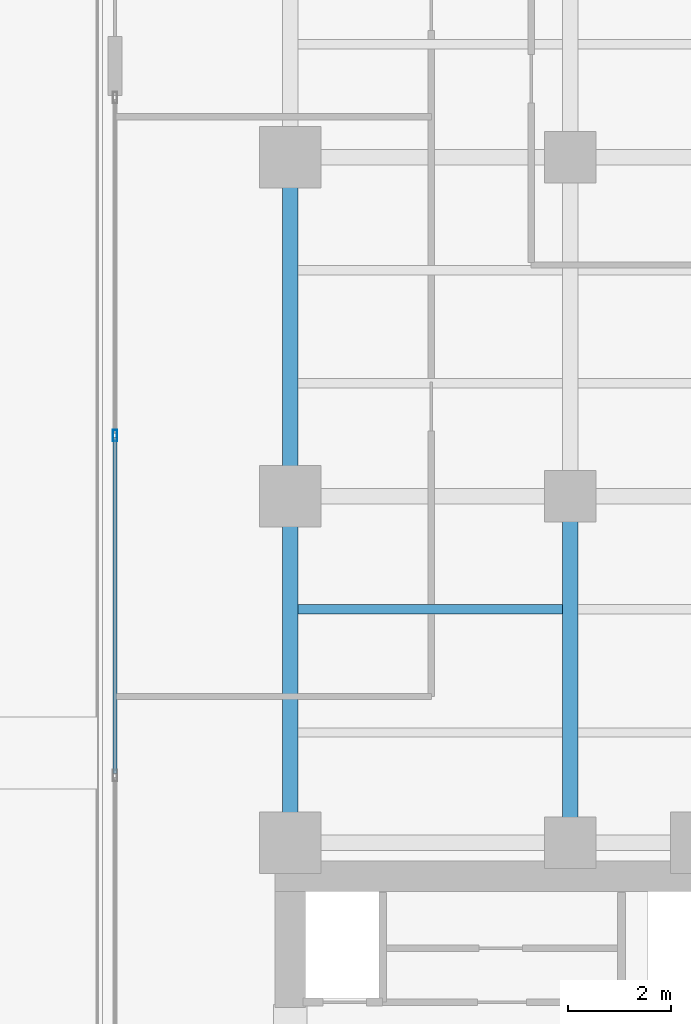
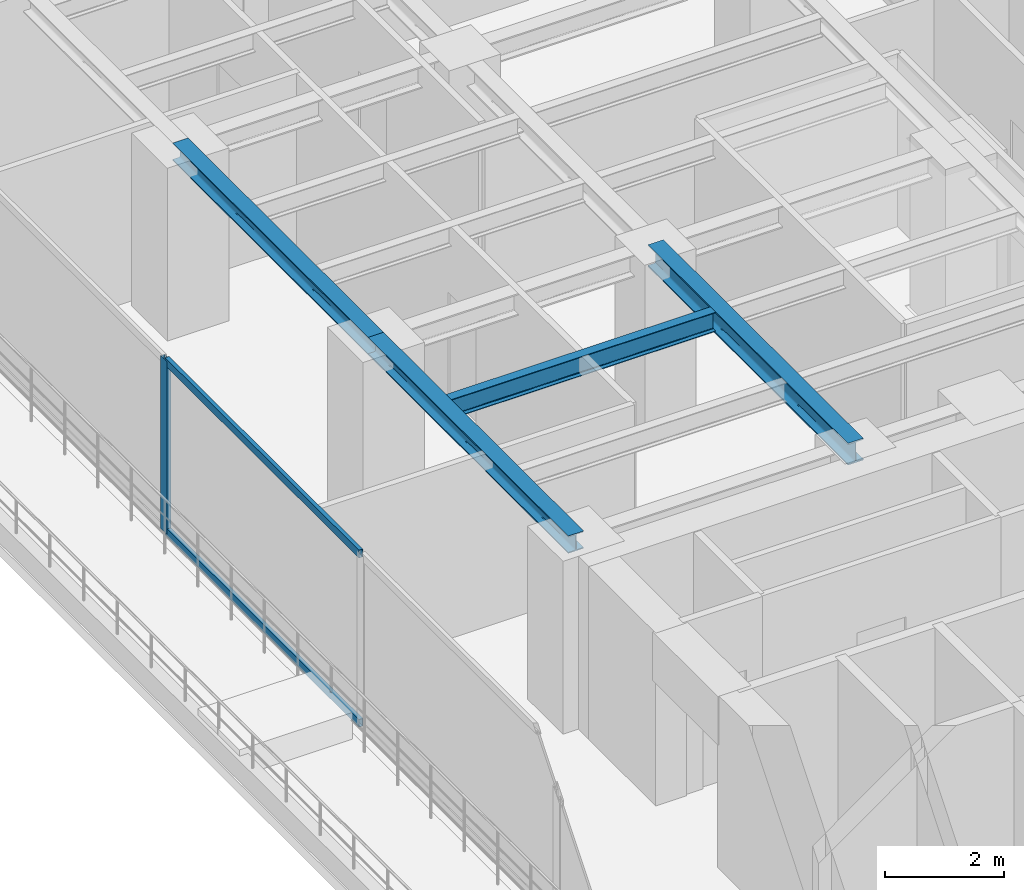
# One storey, part 7 of 28: 4 beams, 3 members, 1 element without a shape of its own.
"""IFC4 building model written with IfcOpenShell, lengths in metres."""

from ifc_helpers import new_model, si_unit, direction, frame, origin, origin_with_axes, origin_2d, place, context, subcontext, project, spatial, hollow_rectangle, i_section, extrude, source, transform, mapped, material, layer, layer_set, material_profile, profile_set, type_object, element, aggregate, save


model = new_model("IFC4")

# Units and contexts
model_context = context("Model", 3, precision=1e-05, world=origin(), true_north=direction((0.0, 1.0)))
body_context = subcontext(model_context, "Body", "Model", "MODEL_VIEW")
ifc_project = project(units=[si_unit("LENGTHUNIT", "METRE"), si_unit("AREAUNIT", "SQUARE_METRE"), si_unit("VOLUMEUNIT", "CUBIC_METRE"), si_unit("PLANEANGLEUNIT", "RADIAN"), si_unit("MASSUNIT", "GRAM", prefix="KILO")], contexts=[model_context])

# Site, building, storey
site_placement = place(None, origin())
site = spatial("IfcSite", under=ifc_project, at=site_placement, CompositionType="ELEMENT")
building_placement = place(site_placement, origin())
building = spatial("IfcBuilding", under=site, at=building_placement, Name="Kolvaren Waterfront Exchange", CompositionType="ELEMENT")
storey_placement = place(building_placement, frame((0.0, 0.0, 146.199951171875)))
storey = spatial("IfcBuildingStorey", under=building, at=storey_placement, Name="L37", CompositionType="ELEMENT", Elevation=146.199951171875)

# Beams
ifc_material_1 = material(Name="Steel S355", Category="steel")
ifc_material_profile_1 = material_profile(ifc_material_1, i_section(OverallWidth=0.300048828125, OverallDepth=0.360107421875, WebThickness=0.012451171875, FlangeThickness=0.0224609375, FilletRadius=0.027099609375, at=origin_2d()), Name="HEB360")
ifc_profile_set_1 = profile_set([ifc_material_profile_1], Name="Steel S355")
beam_type_1 = type_object("IfcBeamType", Name="STR-BM-HEB360", PredefinedType="SPANDREL", material=ifc_profile_set_1)
beam_1_placement = place(storey_placement, frame((7.449951171875, 24.449951171875, 3.380126953125), z_axis=(0.0, 1.0, 0.0), x_axis=(-1.0, 0.0, 0.0)))
element("IfcBeam", 1, at=beam_1_placement, inside=storey, type_object=beam_type_1, Name="L37 north-arm edge beam 1", PredefinedType="SPANDREL", context=body_context, shape_type="SweptSolid", body=[
    extrude(i_section(OverallWidth=0.300048828125, OverallDepth=0.360107421875, WebThickness=0.012451171875, FlangeThickness=0.0224609375, FilletRadius=0.027099609375, at=origin_2d()), origin(), (0.0, 0.0, 1.0), 6.75),
])
beam_2_placement = place(storey_placement, frame((7.449951171875, 31.199951171875, 3.380126953125), z_axis=(0.0, 1.0, 0.0), x_axis=(-1.0, 0.0, 0.0)))
element("IfcBeam", 2, at=beam_2_placement, inside=storey, type_object=beam_type_1, Name="L37 north-arm edge beam 2", PredefinedType="SPANDREL", context=body_context, shape_type="SweptSolid", body=[
    extrude(i_section(OverallWidth=0.300048828125, OverallDepth=0.360107421875, WebThickness=0.012451171875, FlangeThickness=0.0224609375, FilletRadius=0.027099609375, at=origin_2d()), origin(), (0.0, 0.0, 1.0), 6.60009765625),
])
ifc_material_profile_2 = material_profile(ifc_material_1, i_section(OverallWidth=0.300048828125, OverallDepth=0.449951171875, WebThickness=0.013916015625, FlangeThickness=0.02587890625, FilletRadius=0.027099609375, at=origin_2d()), Name="HEB450")
ifc_profile_set_2 = profile_set([ifc_material_profile_2], Name="Steel S355")
beam_type_2 = type_object("IfcBeamType", Name="STR-BM-HEB450", PredefinedType="BEAM", material=ifc_profile_set_2)
beam_3_placement = place(storey_placement, frame((12.89990234375, 24.449951171875, 3.3349609375), z_axis=(0.0, 1.0, 0.0), x_axis=(-1.0, 0.0, 0.0)))
element("IfcBeam", 3, at=beam_3_placement, inside=storey, type_object=beam_type_2, Name="L37 north-arm edge beam 1", PredefinedType="BEAM", context=body_context, shape_type="SweptSolid", body=[
    extrude(i_section(OverallWidth=0.300048828125, OverallDepth=0.449951171875, WebThickness=0.013916015625, FlangeThickness=0.02587890625, FilletRadius=0.027099609375, at=origin_2d()), origin(), (0.0, 0.0, 1.0), 6.75),
])
ifc_material_profile_3 = material_profile(ifc_material_1, i_section(OverallWidth=0.179931640625, OverallDepth=0.39990234375, WebThickness=0.008544921875, FlangeThickness=0.013427734375, FilletRadius=0.02099609375, at=origin_2d()), Name="IPE400")
ifc_profile_set_3 = profile_set([ifc_material_profile_3], Name="Steel S355")
beam_type_3 = type_object("IfcBeamType", Name="STR-BM-IPE400", PredefinedType="JOIST", material=ifc_profile_set_3)
beam_4_placement = place(storey_placement, frame((7.60205078125, 29.0, 3.360107421875), z_axis=(1.0, 0.0, 0.0), x_axis=(0.0, 1.0, 0.0)))
element("IfcBeam", 4, at=beam_4_placement, inside=storey, type_object=beam_type_3, Name="L37 north-arm composite joist 2A", PredefinedType="JOIST", context=body_context, shape_type="SweptSolid", body=[
    extrude(i_section(OverallWidth=0.179931640625, OverallDepth=0.39990234375, WebThickness=0.008544921875, FlangeThickness=0.013427734375, FilletRadius=0.02099609375, at=origin_2d()), origin(), (0.0, 0.0, 1.0), 5.14599609375),
])

# Curtain wall, members
ifc_material_2 = material(Name="Anodised aluminium 6063-T6", Category="aluminium")
ifc_layer = layer(ifc_material_2, 0.219970703125, Name="Anodised aluminium 6063-T6")
ifc_layer_set = layer_set([ifc_layer], Name="Anodised aluminium 6063-T6")
curtain_wall_type = type_object("IfcCurtainWallType", Name="ARC-CW-SYS2", PredefinedType="USERDEFINED", material=ifc_layer_set)
curtain_wall_placement = place(storey_placement, origin())
curtain_wall = element("IfcCurtainWall", 5, at=curtain_wall_placement, inside=storey, type_object=curtain_wall_type, Name="L37 stick curtain wall CW2 (CW-L37-W-1)", ObjectType="STICK CURTAIN WALL", PredefinedType="USERDEFINED")
ifc_material_profile_4 = material_profile(ifc_material_2, hollow_rectangle(XDim=0.080078125, YDim=0.219970703125, WallThickness=0.0048828125, at=origin_2d()), Name="ALU-MUL-220x80x5")
ifc_profile_set_4 = profile_set([ifc_material_profile_4], Name="Anodised aluminium 6063-T6")
member_type_1 = type_object("IfcMemberType", Name="ARC-CWM-220", PredefinedType="MULLION", material=ifc_profile_set_4)
shared_shape_1 = source(origin_with_axes(), body_context, "Body", "SweptSolid", [
    extrude(hollow_rectangle(XDim=0.080078125, YDim=0.219970703125, WallThickness=0.0048828125, at=origin_2d()), origin(), (0.0, 0.0, 1.0), 3.56005859375),
])
member_1_placement = place(storey_placement, frame((4.0400390625, 32.3798828125, 0.0), z_axis=(0.0, 0.0, 1.0), x_axis=(-1.0, 0.0, 0.0)))
member_1 = element("IfcMember", 6, at=member_1_placement, type_object=member_type_1, Name="CW2 mullion 5", PredefinedType="MULLION", context=body_context, shape_type="MappedRepresentation", body=[
    mapped(shared_shape_1, transform((0.0, 0.0, 0.0), x_axis=(1.0, 0.0, 0.0), y_axis=(0.0, 1.0, 0.0), z_axis=(0.0, 0.0, 1.0), scale=1.0)),
])
ifc_material_profile_5 = material_profile(ifc_material_2, hollow_rectangle(XDim=0.074951171875, YDim=0.159912109375, WallThickness=0.00439453125, at=origin_2d()), Name="ALU-TRN-160x75x4.5")
ifc_profile_set_5 = profile_set([ifc_material_profile_5], Name="Anodised aluminium 6063-T6")
member_type_2 = type_object("IfcMemberType", Name="ARC-CWT-160", PredefinedType="USERDEFINED", material=ifc_profile_set_5)
shared_shape_2 = source(origin_with_axes(), body_context, "Body", "SweptSolid", [
    extrude(hollow_rectangle(XDim=0.074951171875, YDim=0.159912109375, WallThickness=0.00439453125, at=origin_2d()), origin(), (0.0, 0.0, 1.0), 6.5400390625),
])
member_2_placement = place(storey_placement, frame((4.0400390625, 25.800048828125, 0.03759765625), z_axis=(0.0, 1.0, 0.0), x_axis=(-1.0, 0.0, 0.0)))
member_2 = element("IfcMember", 7, at=member_2_placement, type_object=member_type_2, Name="CW2 transom 4.1", ObjectType="TRANSOM", PredefinedType="USERDEFINED", context=body_context, shape_type="MappedRepresentation", body=[
    mapped(shared_shape_2, transform((0.0, 0.0, 0.0), x_axis=(1.0, 0.0, 0.0), y_axis=(0.0, 1.0, 0.0), z_axis=(0.0, 0.0, 1.0), scale=1.0)),
])
member_3_placement = place(storey_placement, frame((4.0400390625, 25.800048828125, 3.5224609375), z_axis=(0.0, 1.0, 0.0), x_axis=(-1.0, 0.0, 0.0)))
member_3 = element("IfcMember", 8, at=member_3_placement, type_object=member_type_2, Name="CW2 transom 4.2", ObjectType="TRANSOM", PredefinedType="USERDEFINED", context=body_context, shape_type="MappedRepresentation", body=[
    mapped(shared_shape_2, transform((0.0, 0.0, 0.0), x_axis=(1.0, 0.0, 0.0), y_axis=(0.0, 1.0, 0.0), z_axis=(0.0, 0.0, 1.0), scale=1.0)),
])
aggregate(curtain_wall, [member_1, member_2, member_3])

save(model, "model.ifc")
